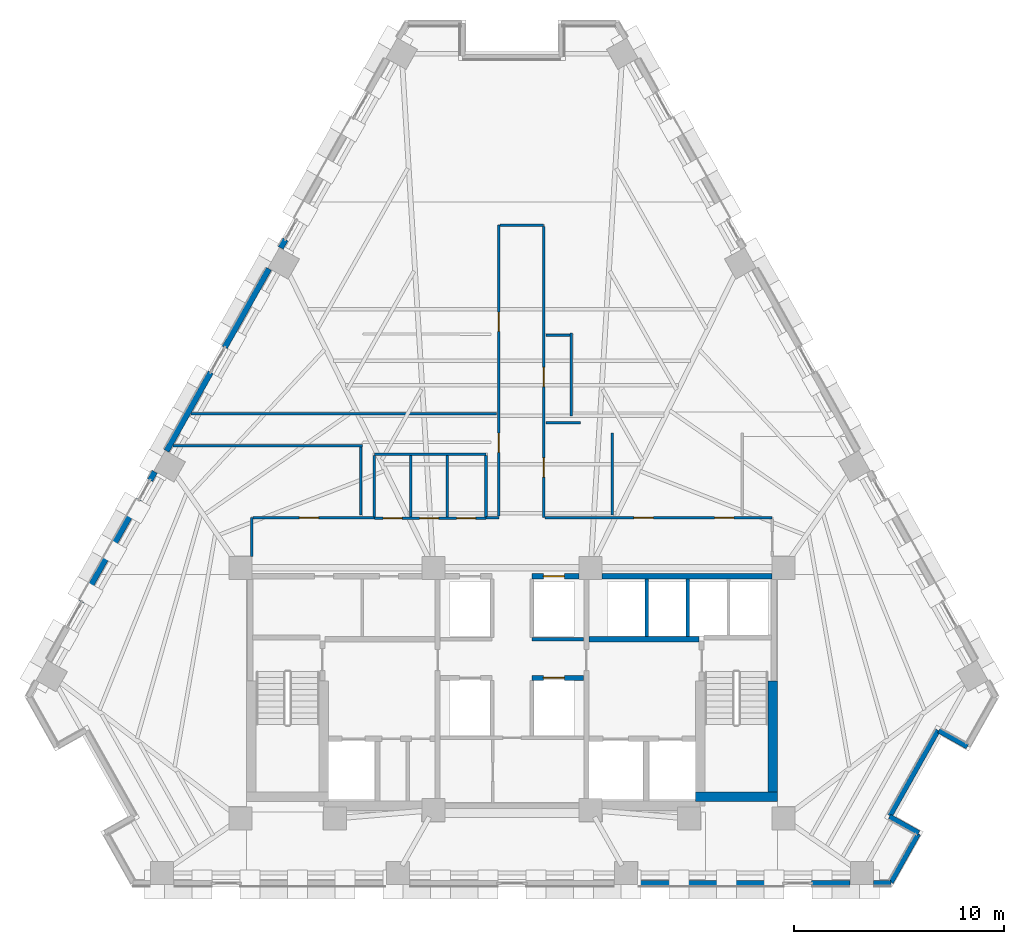
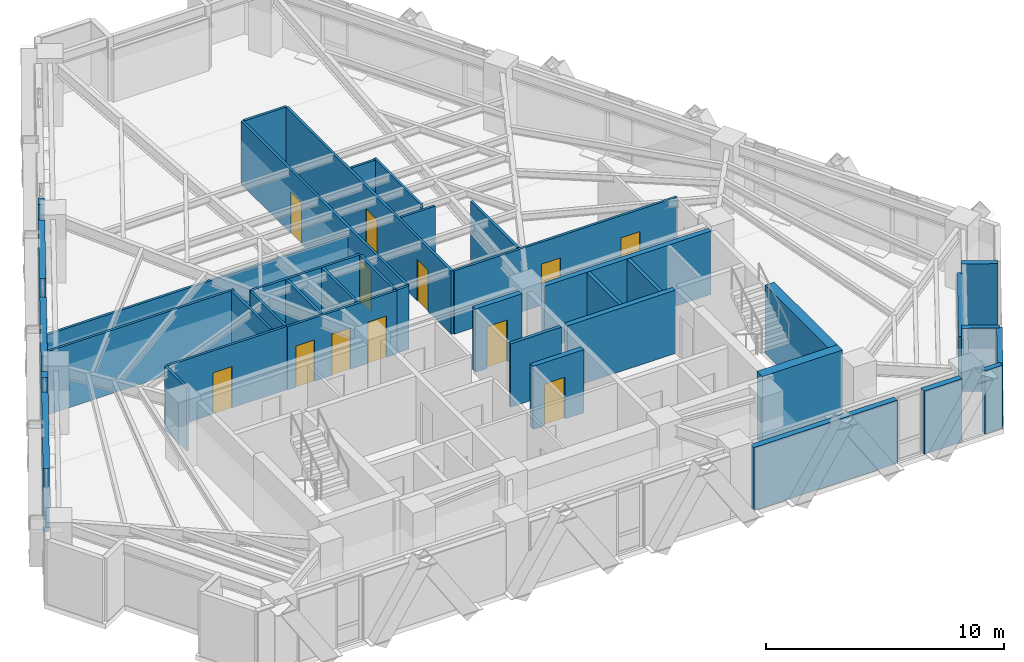
# One storey, part 8 of 13: 41 walls, 12 doors, 12 openings.
"""IFC4 building model written with IfcOpenShell, lengths in metres."""

import ifcopenshell
import ifcopenshell.guid

model = None  # the IFC model being written
_history = None  # IfcOwnerHistory: only IFC2X3 demands one
_inside = {}  # id of a spatial element -> (the spatial element, [elements in it])
_under = {}  # id of a project, library or spatial element -> (it, [spatial elements below it])
_declared = {}  # id of a project -> (the project, [libraries it declares])
_typed = {}  # id of a type object -> (the type object, [elements of that type])
_made_of = {}  # id of a material, layer set ... -> (it, [elements and type objects made of it])


def new_model(schema):
    """Start an empty IFC model of exactly this schema.

    Asked for "IFC4X3", IfcOpenShell would pick the latest addendum, in which some entities
    have other attributes; the version numbers below select the first issue.
    IFC2X3 requires an IfcOwnerHistory on every rooted entity: one is made here for all.
    """
    global model, _history
    if schema == "IFC4X3":
        model = ifcopenshell.file(schema_version=(4, 3, 0, 0))
    else:
        model = ifcopenshell.file(schema=schema)
    _inside.clear()
    _under.clear()
    _declared.clear()
    _typed.clear()
    _made_of.clear()
    _history = None
    if model.schema == "IFC2X3":
        org = make("IfcOrganization", Name="unknown")
        user = make(
            "IfcPersonAndOrganization",
            ThePerson=make("IfcPerson", FamilyName="unknown"),
            TheOrganization=org,
        )
        app = make(
            "IfcApplication",
            ApplicationDeveloper=org,
            Version="unknown",
            ApplicationFullName="unknown",
            ApplicationIdentifier="unknown",
        )
        _history = make(
            "IfcOwnerHistory",
            OwningUser=user,
            OwningApplication=app,
            ChangeAction="ADDED",
            CreationDate=0,
        )
    return model


def make(cls, **values):
    """One entity of the class cls with the attributes given. An attribute that is None is left unset."""
    return model.create_entity(
        cls, **{name: value for name, value in values.items() if value is not None}
    )


def rooted(cls, **values):
    """An entity with a GlobalId (a new one), such as an element, a storey or a relation."""
    return make(cls, GlobalId=ifcopenshell.guid.new(), OwnerHistory=_history, **values)


def si_unit(unit_type, name, prefix=None):
    """IfcSIUnit, for example si_unit("LENGTHUNIT", "METRE", prefix="MILLI")."""
    return make("IfcSIUnit", UnitType=unit_type, Prefix=prefix, Name=name)


def assignment(units):
    """IfcUnitAssignment: the units of a project."""
    return None if units is None else make("IfcUnitAssignment", Units=units)


def point(xyz):
    """IfcCartesianPoint."""
    return None if xyz is None else make("IfcCartesianPoint", Coordinates=xyz)


def direction(xyz):
    """IfcDirection."""
    return None if xyz is None else make("IfcDirection", DirectionRatios=xyz)


def frame(location, z_axis=None, x_axis=None):
    """IfcAxis2Placement3D, a coordinate frame: its origin and axes. An axis left out is left unset."""
    return make(
        "IfcAxis2Placement3D",
        Location=point(location),
        Axis=direction(z_axis),
        RefDirection=direction(x_axis),
    )


def frame_2d(location, x_axis=None):
    """IfcAxis2Placement2D, a coordinate frame in the plane: its origin and x axis."""
    return make(
        "IfcAxis2Placement2D", Location=point(location), RefDirection=direction(x_axis)
    )


def origin():
    """The frame at (0, 0, 0) with its axes left unset."""
    return frame((0.0, 0.0, 0.0))


def place(relative_to, where):
    """IfcLocalPlacement: puts the frame where relative to a parent placement (None: the world)."""
    return make(
        "IfcLocalPlacement", PlacementRelTo=relative_to, RelativePlacement=where
    )


def context(
    kind, dimensions, precision=None, world=None, true_north=None, identifier=None
):
    """IfcGeometricRepresentationContext, for example the 3D "Model" context."""
    return make(
        "IfcGeometricRepresentationContext",
        ContextIdentifier=identifier,
        ContextType=kind,
        CoordinateSpaceDimension=dimensions,
        Precision=precision,
        WorldCoordinateSystem=world,
        TrueNorth=true_north,
    )


def subcontext(parent, identifier, kind, view, scale=None):
    """IfcGeometricRepresentationSubContext, for example "Body" below "Model"."""
    return make(
        "IfcGeometricRepresentationSubContext",
        ContextIdentifier=identifier,
        ContextType=kind,
        ParentContext=parent,
        TargetScale=scale,
        TargetView=view,
    )


def project(units=None, contexts=None):
    """IfcProject with its units and contexts."""
    return rooted(
        "IfcProject",
        Name="project",
        RepresentationContexts=contexts,
        UnitsInContext=assignment(units),
    )


def spatial(cls, under=None, at=None, **own):
    """A site, building, storey or space (cls), placed at a placement, below another one or the project."""
    s = rooted(cls, ObjectPlacement=at, **own)
    if under is not None:
        _under.setdefault(under.id(), (under, []))[1].append(s)
    return s


def profile(cls, at=None, kind="AREA", **sizes):
    """A parametric profile (cls). Its sizes go by their IFC names, for example OverallWidth=200.0."""
    return make(cls, ProfileType=kind, Position=at, **sizes)


def rectangle(**sizes):
    """IfcRectangleProfileDef."""
    return profile("IfcRectangleProfileDef", **sizes)


def extrude(swept, where, along, depth):
    """IfcExtrudedAreaSolid: the profile swept, set in the frame where, extruded along a direction by depth."""
    return make(
        "IfcExtrudedAreaSolid",
        SweptArea=swept,
        Position=where,
        ExtrudedDirection=direction(along),
        Depth=depth,
    )


def shape(context_of_items, identifier, shape_type, items):
    """IfcShapeRepresentation: the items that make up one representation, for example the "Body"."""
    return make(
        "IfcShapeRepresentation",
        ContextOfItems=context_of_items,
        RepresentationIdentifier=identifier,
        RepresentationType=shape_type,
        Items=items,
    )


def material(Name=None, Category=None):
    """IfcMaterial."""
    return make("IfcMaterial", Name=Name, Category=Category)


def layer(
    of_material, thickness, ventilated=None, Name=None, Category=None, Priority=None
):
    """IfcMaterialLayer: one layer of a wall or slab, of a material (None: an air gap)."""
    return make(
        "IfcMaterialLayer",
        Material=of_material,
        LayerThickness=thickness,
        IsVentilated=ventilated,
        Name=Name,
        Category=Category,
        Priority=Priority,
    )


def layer_set(layers, Name=None):
    """IfcMaterialLayerSet."""
    return make("IfcMaterialLayerSet", MaterialLayers=layers, LayerSetName=Name)


def made_of(thing, what):
    """Note that an element or type object is made of a material, layer set ...; save() writes the relation."""
    if what is not None:
        _made_of.setdefault(what.id(), (what, []))[1].append(thing)
    return thing


def type_object(cls, material=None, **own):
    """A type object (cls), such as IfcWallType, which elements share."""
    return made_of(rooted(cls, **own), material)


def element(
    cls,
    number,
    at=None,
    inside=None,
    cuts=None,
    type_object=None,
    material=None,
    context=None,
    identifier="Body",
    shape_type=None,
    held_by="IfcProductDefinitionShape",
    body=None,
    shapes=None,
    **own,
):
    """One element of the class cls, such as IfcWall. Its Tag is "e" and its number.

    at: its placement. inside: the storey or other place that contains it. cuts: it is an
    opening in that element (IfcRelVoidsElement). A single representation is given by context,
    identifier, shape_type and body (its items); several are given by shapes. held_by: the class
    of the entity that holds the representations. save() writes the other relations.
    """
    e = rooted(cls, Tag="e%d" % number, ObjectPlacement=at, **own)
    if body is not None:
        shapes = [shape(context, identifier, shape_type, body)]
    if shapes is not None:
        e.Representation = make(held_by, Representations=shapes)
    if inside is not None:
        _inside.setdefault(inside.id(), (inside, []))[1].append(e)
    if cuts is not None:
        rooted(
            "IfcRelVoidsElement", RelatingBuildingElement=cuts, RelatedOpeningElement=e
        )
    if type_object is not None:
        _typed.setdefault(type_object.id(), (type_object, []))[1].append(e)
    return made_of(e, material)


def fill(opening, filler):
    """IfcRelFillsElement: the door or window that sits in an opening."""
    return rooted(
        "IfcRelFillsElement",
        RelatingOpeningElement=opening,
        RelatedBuildingElement=filler,
    )


def aggregate(whole, parts):
    """IfcRelAggregates: a whole, such as a stair, and the parts it consists of."""
    return rooted("IfcRelAggregates", RelatingObject=whole, RelatedObjects=parts)


def save(model, path):
    """Write the relations noted so far, then the file.

    IfcRelAggregates (storeys below a building ...), IfcRelContainedInSpatialStructure (elements
    in a storey), IfcRelDefinesByType, IfcRelAssociatesMaterial and IfcRelDeclares: one each for
    every whole, place, type object, material and project.
    """
    for whole, parts in _under.values():
        aggregate(whole, parts)
    for where, things in _inside.values():
        rooted(
            "IfcRelContainedInSpatialStructure",
            RelatedElements=things,
            RelatingStructure=where,
        )
    for kind, things in _typed.values():
        rooted("IfcRelDefinesByType", RelatedObjects=things, RelatingType=kind)
    for what, things in _made_of.values():
        rooted("IfcRelAssociatesMaterial", RelatedObjects=things, RelatingMaterial=what)
    for by, libraries in _declared.values():
        rooted("IfcRelDeclares", RelatingContext=by, RelatedDefinitions=libraries)
    model.write(path)


model = new_model("IFC4")

# Units and contexts
model_context = context("Model", 3, precision=1e-05, world=origin(), true_north=direction((0.0, 1.0)))
body_context = subcontext(model_context, "Body", "Model", "MODEL_VIEW")
ifc_project = project(units=[si_unit("LENGTHUNIT", "METRE"), si_unit("AREAUNIT", "SQUARE_METRE"), si_unit("VOLUMEUNIT", "CUBIC_METRE"), si_unit("PLANEANGLEUNIT", "RADIAN"), si_unit("MASSUNIT", "GRAM", prefix="KILO")], contexts=[model_context])

# Site, building, storey
site_placement = place(None, origin())
site = spatial("IfcSite", under=ifc_project, at=site_placement, CompositionType="ELEMENT")
building_placement = place(site_placement, origin())
building = spatial("IfcBuilding", under=site, at=building_placement, Name="Quenlor Broadcast Tower", CompositionType="ELEMENT")
storey_placement = place(building_placement, frame((0.0, 0.0, 105.5)))
storey = spatial("IfcBuildingStorey", under=building, at=storey_placement, Name="L28", CompositionType="ELEMENT", Elevation=105.5)

# Walls
ifc_material_1 = material(Name="Concrete C50/60", Category="concrete")
ifc_layer_1 = layer(ifc_material_1, 0.449951171875)
ifc_layer_set_1 = layer_set([ifc_layer_1], Name="Core Concrete C50/60 Shear Wall 450")
wall_type_1 = type_object("IfcWallType", Name="Core Concrete C50/60 Shear Wall 450", PredefinedType="SHEAR", material=ifc_layer_set_1)
wall_1_placement = place(storey_placement, frame((8.75, -15.72509765625, 0.0), z_axis=(0.0, 0.0, 1.0), x_axis=(1.0, 0.0, 0.0)))
element("IfcWall", 1, at=wall_1_placement, inside=storey, type_object=wall_type_1, Name="L28 Core Shear Wall WS-E2", PredefinedType="SHEAR", context=body_context, shape_type="SweptSolid", body=[
    extrude(rectangle(XDim=3.89990234375, YDim=0.449951171875, at=frame_2d((1.949951171875, 0.0))), origin(), (0.0, 0.0, 1.0), 3.5),
])
wall_2_placement = place(storey_placement, frame((12.425048828125, -15.72509765625, 0.0), z_axis=(0.0, 0.0, 1.0), x_axis=(0.0, 1.0, 0.0)))
element("IfcWall", 2, at=wall_2_placement, inside=storey, type_object=wall_type_1, Name="L28 Core Shear Wall WF-E", PredefinedType="SHEAR", context=body_context, shape_type="SweptSolid", body=[
    extrude(rectangle(XDim=5.525146484375, YDim=0.449951171875, at=frame_2d((2.7626953125, 0.0))), origin(), (0.0, 0.0, 1.0), 3.5),
])
ifc_material_2 = material(Name="Concrete C40/50", Category="concrete")
ifc_layer_2 = layer(ifc_material_2, 0.25)
ifc_layer_set_2 = layer_set([ifc_layer_2], Name="Fire Rated Concrete C40/50 Core Wall 250")
wall_type_2 = type_object("IfcWallType", Name="Fire Rated Concrete C40/50 Core Wall 250", PredefinedType="PARTITIONING", material=ifc_layer_set_2)
wall_3_placement = place(storey_placement, frame((3.679931640625, -8.199951171875, 0.0), z_axis=(0.0, 0.0, 1.0), x_axis=(1.0, 0.0, 0.0)))
element("IfcWall", 3, at=wall_3_placement, inside=storey, type_object=wall_type_2, Name="L28 Interior Wall CW-FFE-N", PredefinedType="PARTITIONING", context=body_context, shape_type="SweptSolid", body=[
    extrude(rectangle(XDim=5.239990234375, YDim=0.25, at=frame_2d((2.6201171875, 0.0))), origin(), (0.0, 0.0, 1.0), 3.25),
])
wall_4_placement = place(storey_placement, frame((4.302001953125, -5.199951171875, 0.0), z_axis=(0.0, 0.0, 1.0), x_axis=(1.0, 0.0, 0.0)))
element("IfcWall", 4, at=wall_4_placement, inside=storey, type_object=wall_type_2, Name="L28 Interior Wall CW-N-E", PredefinedType="PARTITIONING", context=body_context, shape_type="SweptSolid", body=[
    extrude(rectangle(XDim=8.095947265625, YDim=0.25, at=frame_2d((4.0478515625, 0.0))), origin(), (0.0, 0.0, 1.0), 3.25),
])

# Wall, opening, door
wall_5_placement = place(storey_placement, frame((0.949951171875, -5.199951171875, 0.0), z_axis=(0.0, 0.0, 1.0), x_axis=(1.0, 0.0, 0.0)))
wall_5 = element("IfcWall", 5, at=wall_5_placement, inside=storey, type_object=wall_type_2, Name="L28 Interior Wall CW-N-M2", PredefinedType="PARTITIONING", context=body_context, shape_type="SweptSolid", body=[
    extrude(rectangle(XDim=2.248046875, YDim=0.25, at=frame_2d((1.1240234375, 0.0))), origin(), (0.0, 0.0, 1.0), 3.25),
])
opening_1_placement = place(wall_5_placement, frame((0.550048828125, 0.0, 0.0)))
opening_1 = element("IfcOpeningElement", 6, at=opening_1_placement, cuts=wall_5, Name="Opening LD-PL-M2", PredefinedType="OPENING", context=body_context, shape_type="SweptSolid", body=[
    extrude(rectangle(XDim=1.0, YDim=2.14990234375, at=frame_2d((0.5, 1.074951171875))), frame((0.0, 0.135009765625, 0.0), z_axis=(0.0, -1.0, 0.0), x_axis=(1.0, 0.0, 0.0)), (0.0, 0.0, 1.0), 0.27001953125),
])
ifc_material_3 = material(Name="Brushed Stainless Steel", Category="steel")
door_type_1 = type_object("IfcDoorType", Name="Passenger Lift Sliding Landing Door 1000x2150", OperationType="NOTDEFINED", PredefinedType="DOOR", material=ifc_material_3)
door_1_placement = place(opening_1_placement, origin())
door_1 = element("IfcDoor", 7, at=door_1_placement, inside=storey, type_object=door_type_1, Name="L28 Door LD-PL-M2", OperationType="SLIDING_TO_RIGHT", OverallHeight=2.14990234375, OverallWidth=1.0, PredefinedType="DOOR", context=body_context, shape_type="SweptSolid", body=[
    extrude(rectangle(XDim=1.0, YDim=2.14990234375, at=frame_2d((0.5, 1.074951171875))), frame((0.0, 0.02490234375, 0.0), z_axis=(0.0, -1.0, 0.0), x_axis=(1.0, 0.0, 0.0)), (0.0, 0.0, 1.0), 0.050048828125),
])
fill(opening_1, door_1)

wall_6_placement = place(storey_placement, frame((0.949951171875, -10.050048828125, 0.0), z_axis=(0.0, 0.0, 1.0), x_axis=(1.0, 0.0, 0.0)))
wall_6 = element("IfcWall", 8, at=wall_6_placement, inside=storey, type_object=wall_type_2, Name="L28 Interior Wall CW-MS-N2", PredefinedType="PARTITIONING", context=body_context, shape_type="SweptSolid", body=[
    extrude(rectangle(XDim=2.469970703125, YDim=0.25, at=frame_2d((1.23486328125, 0.0))), origin(), (0.0, 0.0, 1.0), 3.25),
])
opening_2_placement = place(wall_6_placement, frame((0.550048828125, 0.0, 0.0)))
opening_2 = element("IfcOpeningElement", 9, at=opening_2_placement, cuts=wall_6, Name="Opening LD-PL-M4", PredefinedType="OPENING", context=body_context, shape_type="SweptSolid", body=[
    extrude(rectangle(XDim=1.0, YDim=2.14990234375, at=frame_2d((0.5, 1.074951171875))), frame((0.0, 0.135009765625, 0.0), z_axis=(0.0, -1.0, 0.0), x_axis=(1.0, 0.0, 0.0)), (0.0, 0.0, 1.0), 0.27001953125),
])
door_2_placement = place(opening_2_placement, origin())
door_2 = element("IfcDoor", 10, at=door_2_placement, inside=storey, type_object=door_type_1, Name="L28 Door LD-PL-M4", OperationType="SLIDING_TO_RIGHT", OverallHeight=2.14990234375, OverallWidth=1.0, PredefinedType="DOOR", context=body_context, shape_type="SweptSolid", body=[
    extrude(rectangle(XDim=1.0, YDim=2.14990234375, at=frame_2d((0.5, 1.074951171875))), frame((0.0, 0.02490234375, 0.0), z_axis=(0.0, -1.0, 0.0), x_axis=(1.0, 0.0, 0.0)), (0.0, 0.0, 1.0), 0.050048828125),
])
fill(opening_2, door_2)

# Walls
ifc_material_4 = material(Name="Gypsum Fireboard Partition", Category="other")
ifc_layer_3 = layer(ifc_material_4, 0.159912109375)
ifc_layer_set_3 = layer_set([ifc_layer_3], Name="Fire Rated Shaft and Corridor Partition 160")
wall_type_3 = type_object("IfcWallType", Name="Fire Rated Shaft and Corridor Partition 160", PredefinedType="PARTITIONING", material=ifc_layer_set_3)
for number, where, z_axis, x_axis, name in (
    (11, (6.425048828125, -8.072998046875, 0.0), (0.0, 0.0, 1.0), (0.0, 1.0, 0.0), "L28 Interior Wall CW-PLH-D1"),
    (12, (8.375, -8.072998046875, 0.0), (0.0, 0.0, 1.0), (0.0, 1.0, 0.0), "L28 Interior Wall CW-PLH-D2"),
):
    element("IfcWall", number, at=place(storey_placement, frame(where, z_axis=z_axis, x_axis=x_axis)), inside=storey, type_object=wall_type_3, Name=name, PredefinedType="PARTITIONING", context=body_context, shape_type="SweptSolid", body=[
        extrude(rectangle(XDim=2.73291015625, YDim=0.159912109375, at=frame_2d((1.366455078125, 0.0))), origin(), (0.0, 0.0, 1.0), 3.25),
    ])
wall_7_placement = place(storey_placement, frame((0.949951171875, -8.199951171875, 0.0), z_axis=(0.0, 0.0, 1.0), x_axis=(1.0, 0.0, 0.0)))
element("IfcWall", 13, at=wall_7_placement, inside=storey, type_object=wall_type_3, Name="L28 Interior Wall CW-M-BACK2", PredefinedType="PARTITIONING", context=body_context, shape_type="SweptSolid", body=[
    extrude(rectangle(XDim=2.469970703125, YDim=0.159912109375, at=frame_2d((1.23486328125, 0.0))), origin(), (0.0, 0.0, 1.0), 3.25),
])

# Wall, openings, doors
ifc_material_5 = material(Name="Gypsum Plasterboard Partition", Category="other")
ifc_layer_4 = layer(ifc_material_5, 0.1201171875)
ifc_layer_set_4 = layer_set([ifc_layer_4], Name="Standard Office Partition 120")
wall_type_4 = type_object("IfcWallType", Name="Standard Office Partition 120", PredefinedType="PARTITIONING", material=ifc_layer_set_4)
wall_8_placement = place(storey_placement, frame((-6.56005859375, -2.43994140625, 0.0), z_axis=(0.0, 0.0, 1.0), x_axis=(1.0, 0.0, 0.0)))
wall_8 = element("IfcWall", 14, at=wall_8_placement, inside=storey, type_object=wall_type_4, Name="L28 Interior Wall PW-WC-S", PredefinedType="PARTITIONING", context=body_context, shape_type="SweptSolid", body=[
    extrude(rectangle(XDim=5.320068359375, YDim=0.1201171875, at=frame_2d((2.66015625, 0.0))), origin(), (0.0, 0.0, 1.0), 3.25),
])
opening_3_placement = place(wall_8_placement, frame((0.419921875, 0.0, 0.0)))
opening_3 = element("IfcOpeningElement", 15, at=opening_3_placement, cuts=wall_8, Name="Opening ID-3", PredefinedType="OPENING", context=body_context, shape_type="SweptSolid", body=[
    extrude(rectangle(XDim=0.89990234375, YDim=2.1201171875, at=frame_2d((0.449951171875, 1.06005859375))), frame((0.0, 0.070068359375, 0.0), z_axis=(0.0, -1.0, 0.0), x_axis=(1.0, 0.0, 0.0)), (0.0, 0.0, 1.0), 0.14013671875),
])
opening_4_placement = place(wall_8_placement, frame((2.159912109375, 0.0, 0.0)))
opening_4 = element("IfcOpeningElement", 16, at=opening_4_placement, cuts=wall_8, Name="Opening ID-3", PredefinedType="OPENING", context=body_context, shape_type="SweptSolid", body=[
    extrude(rectangle(XDim=0.89990234375, YDim=2.1201171875, at=frame_2d((0.449951171875, 1.06005859375))), frame((0.0, 0.070068359375, 0.0), z_axis=(0.0, -1.0, 0.0), x_axis=(1.0, 0.0, 0.0)), (0.0, 0.0, 1.0), 0.14013671875),
])
opening_5_placement = place(wall_8_placement, frame((3.919921875, 0.0, 0.0)))
opening_5 = element("IfcOpeningElement", 17, at=opening_5_placement, cuts=wall_8, Name="Opening ID-3", PredefinedType="OPENING", context=body_context, shape_type="SweptSolid", body=[
    extrude(rectangle(XDim=0.89990234375, YDim=2.1201171875, at=frame_2d((0.449951171875, 1.06005859375))), frame((0.0, 0.070068359375, 0.0), z_axis=(0.0, -1.0, 0.0), x_axis=(1.0, 0.0, 0.0)), (0.0, 0.0, 1.0), 0.14013671875),
])
ifc_material_6 = material(Name="Moisture Resistant Timber Oak", Category="wood")
door_type_2 = type_object("IfcDoorType", Name="Washroom Privacy Door 900x2120", OperationType="NOTDEFINED", PredefinedType="DOOR", material=ifc_material_6)
door_3_placement = place(opening_3_placement, origin())
door_3 = element("IfcDoor", 18, at=door_3_placement, inside=storey, type_object=door_type_2, Name="L28 Door DR-FWC", OperationType="SINGLE_SWING_LEFT", OverallHeight=2.1201171875, OverallWidth=0.89990234375, PredefinedType="DOOR", context=body_context, shape_type="SweptSolid", body=[
    extrude(rectangle(XDim=0.89990234375, YDim=2.1201171875, at=frame_2d((0.449951171875, 1.06005859375))), frame((0.0, 0.02490234375, 0.0), z_axis=(0.0, -1.0, 0.0), x_axis=(1.0, 0.0, 0.0)), (0.0, 0.0, 1.0), 0.050048828125),
])
fill(opening_3, door_3)
door_4_placement = place(opening_4_placement, origin())
door_4 = element("IfcDoor", 19, at=door_4_placement, inside=storey, type_object=door_type_2, Name="L28 Door DR-MWC", OperationType="SINGLE_SWING_RIGHT", OverallHeight=2.1201171875, OverallWidth=0.89990234375, PredefinedType="DOOR", context=body_context, shape_type="SweptSolid", body=[
    extrude(rectangle(XDim=0.89990234375, YDim=2.1201171875, at=frame_2d((0.449951171875, 1.06005859375))), frame((0.0, 0.02490234375, 0.0), z_axis=(0.0, -1.0, 0.0), x_axis=(1.0, 0.0, 0.0)), (0.0, 0.0, 1.0), 0.050048828125),
])
fill(opening_4, door_4)
door_5_placement = place(opening_5_placement, origin())
door_5 = element("IfcDoor", 20, at=door_5_placement, inside=storey, type_object=door_type_2, Name="L28 Door DR-AWC", OperationType="SINGLE_SWING_RIGHT", OverallHeight=2.1201171875, OverallWidth=0.89990234375, PredefinedType="DOOR", context=body_context, shape_type="SweptSolid", body=[
    extrude(rectangle(XDim=0.89990234375, YDim=2.1201171875, at=frame_2d((0.449951171875, 1.06005859375))), frame((0.0, 0.02490234375, 0.0), z_axis=(0.0, -1.0, 0.0), x_axis=(1.0, 0.0, 0.0)), (0.0, 0.0, 1.0), 0.050048828125),
])
fill(opening_5, door_5)

# Walls
wall_9_placement = place(storey_placement, frame((-6.56005859375, 0.610107421875, 0.0), z_axis=(0.0, 0.0, 1.0), x_axis=(1.0, 0.0, 0.0)))
element("IfcWall", 21, at=wall_9_placement, inside=storey, type_object=wall_type_4, Name="L28 Interior Wall PW-WC-N", PredefinedType="PARTITIONING", context=body_context, shape_type="SweptSolid", body=[
    extrude(rectangle(XDim=5.320068359375, YDim=0.1201171875, at=frame_2d((2.66015625, 0.0))), origin(), (0.0, 0.0, 1.0), 3.25),
])
for number, where, z_axis, x_axis, name in (
    (22, (-6.56005859375, -2.3779296875, 0.0), (0.0, 0.0, 1.0), (0.0, 1.0, 0.0), "L28 Interior Wall PW-WC-W"),
    (23, (-4.820068359375, -2.3779296875, 0.0), (0.0, 0.0, 1.0), (0.0, 1.0, 0.0), "L28 Interior Wall PW-WC-M1"),
    (24, (-3.080078125, -2.3779296875, 0.0), (0.0, 0.0, 1.0), (0.0, 1.0, 0.0), "L28 Interior Wall PW-WC-M2"),
    (25, (-1.239990234375, -2.3779296875, 0.0), (0.0, 0.0, 1.0), (0.0, 1.0, 0.0), "L28 Interior Wall PW-WC-E"),
):
    element("IfcWall", number, at=place(storey_placement, frame(where, z_axis=z_axis, x_axis=x_axis)), inside=storey, type_object=wall_type_4, Name=name, PredefinedType="PARTITIONING", context=body_context, shape_type="SweptSolid", body=[
        extrude(rectangle(XDim=2.926025390625, YDim=0.1201171875, at=frame_2d((1.462890625, 0.0))), origin(), (0.0, 0.0, 1.0), 3.25),
    ])
wall_10_placement = place(storey_placement, frame((-12.409912109375, -4.248046875, 0.0), z_axis=(0.0, 0.0, 1.0), x_axis=(0.0, 1.0, 0.0)))
element("IfcWall", 26, at=wall_10_placement, inside=storey, type_object=wall_type_4, Name="L28 Interior Wall PW-CR-01", PredefinedType="PARTITIONING", context=body_context, shape_type="SweptSolid", body=[
    extrude(rectangle(XDim=1.84814453125, YDim=0.1201171875, at=frame_2d((0.924072265625, 0.0))), origin(), (0.0, 0.0, 1.0), 3.25),
])

# Wall, opening, door
wall_11_placement = place(storey_placement, frame((-12.347900390625, -2.39990234375, 0.0), z_axis=(0.0, 0.0, 1.0), x_axis=(1.0, 0.0, 0.0)))
wall_11 = element("IfcWall", 27, at=wall_11_placement, inside=storey, type_object=wall_type_4, Name="L28 Interior Wall PW-CR-02", PredefinedType="PARTITIONING", context=body_context, shape_type="SweptSolid", body=[
    extrude(rectangle(XDim=5.785888671875, YDim=0.1201171875, at=frame_2d((2.89306640625, 0.0))), origin(), (0.0, 0.0, 1.0), 3.25),
])
opening_6_placement = place(wall_11_placement, frame((2.201904296875, 0.0, 0.0)))
opening_6 = element("IfcOpeningElement", 28, at=opening_6_placement, cuts=wall_11, Name="Opening ID-1", PredefinedType="OPENING", context=body_context, shape_type="SweptSolid", body=[
    extrude(rectangle(XDim=0.919921875, YDim=2.1201171875, at=frame_2d((0.4599609375, 1.06005859375))), frame((0.0, 0.070068359375, 0.0), z_axis=(0.0, -1.0, 0.0), x_axis=(1.0, 0.0, 0.0)), (0.0, 0.0, 1.0), 0.14013671875),
])
ifc_material_7 = material(Name="Solid Core Timber Oak", Category="wood")
door_type_3 = type_object("IfcDoorType", Name="Single Leaf Timber Office Door 920x2120", OperationType="NOTDEFINED", PredefinedType="DOOR", material=ifc_material_7)
door_6_placement = place(opening_6_placement, origin())
door_6 = element("IfcDoor", 29, at=door_6_placement, inside=storey, type_object=door_type_3, Name="L28 Door DR-RM08", OperationType="SINGLE_SWING_RIGHT", OverallHeight=2.1201171875, OverallWidth=0.919921875, PredefinedType="DOOR", context=body_context, shape_type="SweptSolid", body=[
    extrude(rectangle(XDim=0.919921875, YDim=2.1201171875, at=frame_2d((0.4599609375, 1.06005859375))), frame((0.0, 0.02490234375, 0.0), z_axis=(0.0, -1.0, 0.0), x_axis=(1.0, 0.0, 0.0)), (0.0, 0.0, 1.0), 0.050048828125),
])
fill(opening_6, door_6)

# Wall
wall_12_placement = place(storey_placement, frame((-1.238037109375, -2.39990234375, 0.0), z_axis=(0.0, 0.0, 1.0), x_axis=(1.0, 0.0, 0.0)))
element("IfcWall", 30, at=wall_12_placement, inside=storey, type_object=wall_type_4, Name="L28 Interior Wall PW-CR-02S2", PredefinedType="PARTITIONING", context=body_context, shape_type="SweptSolid", body=[
    extrude(rectangle(XDim=0.608154296875, YDim=0.1201171875, at=frame_2d((0.30419921875, 0.0))), origin(), (0.0, 0.0, 1.0), 3.25),
])

# Wall, openings, doors
wall_13_placement = place(storey_placement, frame((-0.6298828125, -2.337890625, 0.0), z_axis=(0.0, 0.0, 1.0), x_axis=(0.0, 1.0, 0.0)))
wall_13 = element("IfcWall", 31, at=wall_13_placement, inside=storey, type_object=wall_type_4, Name="L28 Interior Wall PW-CR-03", PredefinedType="PARTITIONING", context=body_context, shape_type="SweptSolid", body=[
    extrude(rectangle(XDim=13.887939453125, YDim=0.1201171875, at=frame_2d((6.94384765625, 0.0))), origin(), (0.0, 0.0, 1.0), 3.25),
])
opening_7_placement = place(wall_13_placement, frame((8.820068359375, 0.0, 0.0)))
opening_7 = element("IfcOpeningElement", 32, at=opening_7_placement, cuts=wall_13, Name="Opening ID-1", PredefinedType="OPENING", context=body_context, shape_type="SweptSolid", body=[
    extrude(rectangle(XDim=0.919921875, YDim=2.1201171875, at=frame_2d((0.4599609375, 1.06005859375))), frame((0.0, 0.070068359375, 0.0), z_axis=(0.0, -1.0, 0.0), x_axis=(1.0, 0.0, 0.0)), (0.0, 0.0, 1.0), 0.14013671875),
])
opening_8_placement = place(wall_13_placement, frame((3.04296875, 0.0, 0.0)))
opening_8 = element("IfcOpeningElement", 33, at=opening_8_placement, cuts=wall_13, Name="Opening ID-1", PredefinedType="OPENING", context=body_context, shape_type="SweptSolid", body=[
    extrude(rectangle(XDim=0.919921875, YDim=2.1201171875, at=frame_2d((0.4599609375, 1.06005859375))), frame((0.0, 0.070068359375, 0.0), z_axis=(0.0, -1.0, 0.0), x_axis=(1.0, 0.0, 0.0)), (0.0, 0.0, 1.0), 0.14013671875),
])
door_7_placement = place(opening_7_placement, origin())
door_7 = element("IfcDoor", 34, at=door_7_placement, inside=storey, type_object=door_type_3, Name="L28 Door DR-RM01", OperationType="SINGLE_SWING_LEFT", OverallHeight=2.1201171875, OverallWidth=0.919921875, PredefinedType="DOOR", context=body_context, shape_type="SweptSolid", body=[
    extrude(rectangle(XDim=0.919921875, YDim=2.1201171875, at=frame_2d((0.4599609375, 1.06005859375))), frame((0.0, 0.02490234375, 0.0), z_axis=(0.0, -1.0, 0.0), x_axis=(1.0, 0.0, 0.0)), (0.0, 0.0, 1.0), 0.050048828125),
])
fill(opening_7, door_7)
door_8_placement = place(opening_8_placement, origin())
door_8 = element("IfcDoor", 35, at=door_8_placement, inside=storey, type_object=door_type_3, Name="L28 Door DR-RM03", OperationType="SINGLE_SWING_LEFT", OverallHeight=2.1201171875, OverallWidth=0.919921875, PredefinedType="DOOR", context=body_context, shape_type="SweptSolid", body=[
    extrude(rectangle(XDim=0.919921875, YDim=2.1201171875, at=frame_2d((0.4599609375, 1.06005859375))), frame((0.0, 0.02490234375, 0.0), z_axis=(0.0, -1.0, 0.0), x_axis=(1.0, 0.0, 0.0)), (0.0, 0.0, 1.0), 0.050048828125),
])
fill(opening_8, door_8)

# Wall
wall_14_placement = place(storey_placement, frame((-0.568115234375, 11.550048828125, 0.0), z_axis=(0.0, 0.0, 1.0), x_axis=(1.0, 0.0, 0.0)))
element("IfcWall", 36, at=wall_14_placement, inside=storey, type_object=wall_type_4, Name="L28 Interior Wall PW-CR-04", PredefinedType="PARTITIONING", context=body_context, shape_type="SweptSolid", body=[
    extrude(rectangle(XDim=2.078125, YDim=0.1201171875, at=frame_2d((1.0390625, 0.0))), origin(), (0.0, 0.0, 1.0), 3.25),
])

# Wall, openings, doors
wall_15_placement = place(storey_placement, frame((1.510009765625, 11.488037109375, 0.0), z_axis=(0.0, 0.0, 1.0), x_axis=(0.0, -1.0, 0.0)))
wall_15 = element("IfcWall", 37, at=wall_15_placement, inside=storey, type_object=wall_type_4, Name="L28 Interior Wall PW-CR-05", PredefinedType="PARTITIONING", context=body_context, shape_type="SweptSolid", body=[
    extrude(rectangle(XDim=13.887939453125, YDim=0.1201171875, at=frame_2d((6.94384765625, 0.0))), origin(), (0.0, 0.0, 1.0), 3.25),
])
opening_9_placement = place(wall_15_placement, frame((6.72607421875, 0.0, 0.0)))
opening_9 = element("IfcOpeningElement", 38, at=opening_9_placement, cuts=wall_15, Name="Opening ID-1", PredefinedType="OPENING", context=body_context, shape_type="SweptSolid", body=[
    extrude(rectangle(XDim=0.919921875, YDim=2.1201171875, at=frame_2d((0.4599609375, 1.06005859375))), frame((0.0, 0.070068359375, 0.0), z_axis=(0.0, -1.0, 0.0), x_axis=(1.0, 0.0, 0.0)), (0.0, 0.0, 1.0), 0.14013671875),
])
opening_10_placement = place(wall_15_placement, frame((11.041015625, 0.0, 0.0)))
opening_10 = element("IfcOpeningElement", 39, at=opening_10_placement, cuts=wall_15, Name="Opening ID-1", PredefinedType="OPENING", context=body_context, shape_type="SweptSolid", body=[
    extrude(rectangle(XDim=0.919921875, YDim=2.1201171875, at=frame_2d((0.4599609375, 1.06005859375))), frame((0.0, 0.070068359375, 0.0), z_axis=(0.0, -1.0, 0.0), x_axis=(1.0, 0.0, 0.0)), (0.0, 0.0, 1.0), 0.14013671875),
])
door_9_placement = place(opening_9_placement, origin())
door_9 = element("IfcDoor", 40, at=door_9_placement, inside=storey, type_object=door_type_3, Name="L28 Door DR-RM02", OperationType="SINGLE_SWING_RIGHT", OverallHeight=2.1201171875, OverallWidth=0.919921875, PredefinedType="DOOR", context=body_context, shape_type="SweptSolid", body=[
    extrude(rectangle(XDim=0.919921875, YDim=2.1201171875, at=frame_2d((0.4599609375, 1.06005859375))), frame((0.0, 0.02490234375, 0.0), z_axis=(0.0, -1.0, 0.0), x_axis=(1.0, 0.0, 0.0)), (0.0, 0.0, 1.0), 0.050048828125),
])
fill(opening_9, door_9)
door_10_placement = place(opening_10_placement, origin())
door_10 = element("IfcDoor", 41, at=door_10_placement, inside=storey, type_object=door_type_3, Name="L28 Door DR-RM04", OperationType="SINGLE_SWING_RIGHT", OverallHeight=2.1201171875, OverallWidth=0.919921875, PredefinedType="DOOR", context=body_context, shape_type="SweptSolid", body=[
    extrude(rectangle(XDim=0.919921875, YDim=2.1201171875, at=frame_2d((0.4599609375, 1.06005859375))), frame((0.0, 0.02490234375, 0.0), z_axis=(0.0, -1.0, 0.0), x_axis=(1.0, 0.0, 0.0)), (0.0, 0.0, 1.0), 0.050048828125),
])
fill(opening_10, door_10)

wall_16_placement = place(storey_placement, frame((1.572021484375, -2.39990234375, 0.0), z_axis=(0.0, 0.0, 1.0), x_axis=(1.0, 0.0, 0.0)))
wall_16 = element("IfcWall", 42, at=wall_16_placement, inside=storey, type_object=wall_type_4, Name="L28 Interior Wall PW-CR-06", PredefinedType="PARTITIONING", context=body_context, shape_type="SweptSolid", body=[
    extrude(rectangle(XDim=10.837890625, YDim=0.1201171875, at=frame_2d((5.4189453125, 0.0))), origin(), (0.0, 0.0, 1.0), 3.25),
])
opening_11_placement = place(wall_16_placement, frame((4.2451171875, 0.0, 0.0)))
opening_11 = element("IfcOpeningElement", 43, at=opening_11_placement, cuts=wall_16, Name="Opening ID-1", PredefinedType="OPENING", context=body_context, shape_type="SweptSolid", body=[
    extrude(rectangle(XDim=0.919921875, YDim=2.1201171875, at=frame_2d((0.4599609375, 1.06005859375))), frame((0.0, 0.070068359375, 0.0), z_axis=(0.0, -1.0, 0.0), x_axis=(1.0, 0.0, 0.0)), (0.0, 0.0, 1.0), 0.14013671875),
])
opening_12_placement = place(wall_16_placement, frame((8.090087890625, 0.0, 0.0)))
opening_12 = element("IfcOpeningElement", 44, at=opening_12_placement, cuts=wall_16, Name="Opening ID-1", PredefinedType="OPENING", context=body_context, shape_type="SweptSolid", body=[
    extrude(rectangle(XDim=0.919921875, YDim=2.1201171875, at=frame_2d((0.4599609375, 1.06005859375))), frame((0.0, 0.070068359375, 0.0), z_axis=(0.0, -1.0, 0.0), x_axis=(1.0, 0.0, 0.0)), (0.0, 0.0, 1.0), 0.14013671875),
])
door_11_placement = place(opening_11_placement, origin())
door_11 = element("IfcDoor", 45, at=door_11_placement, inside=storey, type_object=door_type_3, Name="L28 Door DR-RM05", OperationType="SINGLE_SWING_LEFT", OverallHeight=2.1201171875, OverallWidth=0.919921875, PredefinedType="DOOR", context=body_context, shape_type="SweptSolid", body=[
    extrude(rectangle(XDim=0.919921875, YDim=2.1201171875, at=frame_2d((0.4599609375, 1.06005859375))), frame((0.0, 0.02490234375, 0.0), z_axis=(0.0, -1.0, 0.0), x_axis=(1.0, 0.0, 0.0)), (0.0, 0.0, 1.0), 0.050048828125),
])
fill(opening_11, door_11)
door_12_placement = place(opening_12_placement, origin())
door_12 = element("IfcDoor", 46, at=door_12_placement, inside=storey, type_object=door_type_3, Name="L28 Door DR-RM06", OperationType="SINGLE_SWING_RIGHT", OverallHeight=2.1201171875, OverallWidth=0.919921875, PredefinedType="DOOR", context=body_context, shape_type="SweptSolid", body=[
    extrude(rectangle(XDim=0.919921875, YDim=2.1201171875, at=frame_2d((0.4599609375, 1.06005859375))), frame((0.0, 0.02490234375, 0.0), z_axis=(0.0, -1.0, 0.0), x_axis=(1.0, 0.0, 0.0)), (0.0, 0.0, 1.0), 0.050048828125),
])
fill(opening_12, door_12)

# Walls
wall_17_placement = place(storey_placement, frame((2.829833984375, 2.451904296875, 0.0), z_axis=(0.0, 0.0, 1.0), x_axis=(0.000989425031, 0.999999510519, 0.0)))
element("IfcWall", 47, at=wall_17_placement, inside=storey, type_object=wall_type_4, Name="L28 Interior Wall PW-DV-01", PredefinedType="PARTITIONING", context=body_context, shape_type="SweptSolid", body=[
    extrude(rectangle(XDim=3.947998046875, YDim=0.1201171875, at=frame_2d((1.97412109375, 0.0))), origin(), (0.0, 0.0, 1.0), 3.25),
])
wall_18_placement = place(storey_placement, frame((2.771484375, 6.300048828125, 0.0), z_axis=(0.0, 0.0, 1.0), x_axis=(-1.0, 0.0, 0.0)))
element("IfcWall", 48, at=wall_18_placement, inside=storey, type_object=wall_type_4, Name="L28 Interior Wall PW-DV-02", PredefinedType="PARTITIONING", context=body_context, shape_type="SweptSolid", body=[
    extrude(rectangle(XDim=1.1513671875, YDim=0.1201171875, at=frame_2d((0.57568359375, 0.0))), origin(), (0.0, 0.0, 1.0), 3.25),
])
wall_19_placement = place(storey_placement, frame((-0.739990234375, 2.552001953125, 0.0), z_axis=(0.0, 0.0, 1.0), x_axis=(-1.0, 0.0, 0.0)))
element("IfcWall", 49, at=wall_19_placement, inside=storey, type_object=wall_type_4, Name="L28 Interior Wall PW-DV-03", PredefinedType="PARTITIONING", context=body_context, shape_type="SweptSolid", body=[
    extrude(rectangle(XDim=14.578125, YDim=0.1201171875, at=frame_2d((7.2890625, 0.0))), origin(), (0.0, 0.0, 1.0), 2.891357421875),
])
wall_20_placement = place(storey_placement, frame((3.27001953125, 2.11474609375, 0.0), z_axis=(0.0, 0.0, 1.0), x_axis=(-1.0, 0.0, 0.0)))
element("IfcWall", 50, at=wall_20_placement, inside=storey, type_object=wall_type_4, Name="L28 Interior Wall PW-DV-04", PredefinedType="PARTITIONING", context=body_context, shape_type="SweptSolid", body=[
    extrude(rectangle(XDim=1.64990234375, YDim=0.1201171875, at=frame_2d((0.824951171875, 0.0))), origin(), (0.0, 0.0, 1.0), 3.25),
])
wall_21_placement = place(storey_placement, frame((-7.1201171875, 1.03369140625, 0.0), z_axis=(0.0, 0.0, 1.0), x_axis=(-0.999999918204, -0.000404465264, 0.0)))
element("IfcWall", 51, at=wall_21_placement, inside=storey, type_object=wall_type_4, Name="L28 Interior Wall PW-DV-05", PredefinedType="PARTITIONING", context=body_context, shape_type="SweptSolid", body=[
    extrude(rectangle(XDim=9.05419921875, YDim=0.1201171875, at=frame_2d((4.527099609375, 0.0))), origin(), (0.0, 0.0, 1.0), 3.25),
])
wall_22_placement = place(storey_placement, frame((-7.219970703125, -2.2900390625, 0.0), z_axis=(0.0, 0.0, 1.0), x_axis=(0.0, 1.0, 0.0)))
element("IfcWall", 52, at=wall_22_placement, inside=storey, type_object=wall_type_4, Name="L28 Interior Wall PW-DV-06", PredefinedType="PARTITIONING", context=body_context, shape_type="SweptSolid", body=[
    extrude(rectangle(XDim=3.26171875, YDim=0.1201171875, at=frame_2d((1.630859375, 0.0))), origin(), (0.0, 0.0, 1.0), 3.25),
])
wall_23_placement = place(storey_placement, frame((4.774658203125, 1.639892578125, 0.0), z_axis=(0.0, 0.0, 1.0), x_axis=(0.0, -1.0, 0.0)))
element("IfcWall", 53, at=wall_23_placement, inside=storey, type_object=wall_type_4, Name="L28 Interior Wall PW-DV-07", PredefinedType="PARTITIONING", context=body_context, shape_type="SweptSolid", body=[
    extrude(rectangle(XDim=3.929931640625, YDim=0.1201171875, at=frame_2d((1.96484375, 0.0))), origin(), (0.0, 0.0, 1.0), 3.25),
])
ifc_material_8 = material(Name="Precast concrete C40/50", Category="concrete")
ifc_layer_5 = layer(ifc_material_8, 0.239990234375)
ifc_layer_set_5 = layer_set([ifc_layer_5], Name="Terrace Threshold Precast Concrete C40/50 Wall 240")
wall_type_5 = type_object("IfcWallType", Name="Terrace Threshold Precast Concrete C40/50 Wall 240", PredefinedType="STANDARD", material=ifc_layer_set_5)
wall_24_placement = place(storey_placement, frame((18.083984375, -19.840087890625, 0.0), z_axis=(0.0, 0.0, 1.0), x_axis=(-1.0, 0.0, 0.0)))
element("IfcWall", 54, at=wall_24_placement, inside=storey, type_object=wall_type_5, Name="L28 Exterior Wall L28-SHD-SS0", PredefinedType="STANDARD", context=body_context, shape_type="SweptSolid", body=[
    extrude(rectangle(XDim=0.83642578125, YDim=0.239990234375, at=frame_2d((0.418212890625, 0.0))), origin(), (0.0, 0.0, 1.0), 3.25),
])
wall_25_placement = place(storey_placement, frame((19.39892578125, -17.4423828125, 0.0), z_axis=(0.0, 0.0, 1.0), x_axis=(-0.871575537125, 0.490261239633, 0.0)))
element("IfcWall", 55, at=wall_25_placement, inside=storey, type_object=wall_type_5, Name="L28 Exterior Wall L28-CNR-01", PredefinedType="STANDARD", context=body_context, shape_type="SweptSolid", body=[
    extrude(rectangle(XDim=1.60009765625, YDim=0.239990234375, at=frame_2d((0.800048828125, 0.0))), origin(), (0.0, 0.0, 1.0), 3.25),
])
wall_26_placement = place(storey_placement, frame((18.024169921875, -16.623046875, 0.0), z_axis=(0.0, 0.0, 1.0), x_axis=(0.490273623647, 0.871568571001, 0.0)))
element("IfcWall", 56, at=wall_26_placement, inside=storey, type_object=wall_type_5, Name="L28 Exterior Wall L28-CNR-02", PredefinedType="STANDARD", context=body_context, shape_type="SweptSolid", body=[
    extrude(rectangle(XDim=4.679931640625, YDim=0.239990234375, at=frame_2d((2.33984375, 0.0))), origin(), (0.0, 0.0, 1.0), 2.7216796875),
])
wall_27_placement = place(storey_placement, frame((20.353515625, -12.563720703125, 0.0), z_axis=(0.0, 0.0, 1.0), x_axis=(0.871546278971, -0.490313250496, 0.0)))
element("IfcWall", 57, at=wall_27_placement, inside=storey, type_object=wall_type_5, Name="L28 Exterior Wall L28-CNR-03", PredefinedType="STANDARD", context=body_context, shape_type="SweptSolid", body=[
    extrude(rectangle(XDim=1.56005859375, YDim=0.239990234375, at=frame_2d((0.780029296875, 0.0))), origin(), (0.0, 0.0, 1.0), 3.25),
])
wall_28_placement = place(storey_placement, frame((18.074951171875, -19.79638671875, 0.0), z_axis=(0.0, 0.0, 1.0), x_axis=(0.490248170584, 0.871582888335, 0.0)))
element("IfcWall", 58, at=wall_28_placement, inside=storey, type_object=wall_type_5, Name="L28 Exterior Wall L28-CNR-18", PredefinedType="STANDARD", context=body_context, shape_type="SweptSolid", body=[
    extrude(rectangle(XDim=2.660888671875, YDim=0.239990234375, at=frame_2d((1.33056640625, 0.0))), origin(), (0.0, 0.0, 1.0), 3.25),
])
ifc_material_9 = material(Name="Precast concrete C40/50", Category="concrete")
ifc_layer_6 = layer(ifc_material_9, 0.280029296875)
ifc_layer_set_6 = layer_set([ifc_layer_6], Name="Terracotta Precast Concrete C40/50 Facade Wall 280")
wall_type_6 = type_object("IfcWallType", Name="Terracotta Precast Concrete C40/50 Facade Wall 280", PredefinedType="STANDARD", material=ifc_layer_set_6)
wall_29_placement = place(storey_placement, frame((16.117431640625, -19.840087890625, 0.0), z_axis=(0.0, 0.0, 1.0), x_axis=(-1.0, 0.0, 0.0)))
element("IfcWall", 59, at=wall_29_placement, inside=storey, type_object=wall_type_6, Name="L28 Exterior Wall L28-SA-SP1", PredefinedType="STANDARD", context=body_context, shape_type="SweptSolid", body=[
    extrude(rectangle(XDim=1.82568359375, YDim=0.280029296875, at=frame_2d((0.912841796875, 0.0))), origin(), (0.0, 0.0, 1.0), 3.25),
])
wall_30_placement = place(storey_placement, frame((12.978759765625, -19.840087890625, 0.0), z_axis=(0.0, 0.0, 1.0), x_axis=(-1.0, 0.0, 0.0)))
element("IfcWall", 60, at=wall_30_placement, inside=storey, type_object=wall_type_6, Name="L28 Exterior Wall L28-SA-SP2", PredefinedType="STANDARD", context=body_context, shape_type="SweptSolid", body=[
    extrude(rectangle(XDim=6.96044921875, YDim=0.280029296875, at=frame_2d((3.480224609375, 0.0))), origin(), (0.0, 0.0, 1.0), 3.25),
])
wall_31_placement = place(storey_placement, frame((-20.527099609375, -6.419189453125, 0.0), z_axis=(0.0, 0.0, 1.0), x_axis=(0.490265381388, 0.871573207374, 0.0)))
element("IfcWall", 61, at=wall_31_placement, inside=storey, type_object=wall_type_6, Name="L28 Exterior Wall L28-NWA-SP2", PredefinedType="STANDARD", context=body_context, shape_type="SweptSolid", body=[
    extrude(rectangle(XDim=5.59716796875, YDim=0.280029296875, at=frame_2d((2.798583984375, 0.0))), origin(), (0.0, 0.0, 1.0), 3.25),
])
for number, where, z_axis, x_axis, name in (
    (62, (-17.264404296875, -0.618896484375, 0.0), (0.0, 0.0, 1.0), (0.490009165718, 0.871717280724, 0.0), "L28 Exterior Wall L28-NWA-SP3"),
    (63, (-11.031982421875, 10.461181640625, 0.0), (0.0, 0.0, 1.0), (0.490412424957, 0.871490478116, 0.0), "L28 Exterior Wall L28-NWC-SP1"),
):
    element("IfcWall", number, at=place(storey_placement, frame(where, z_axis=z_axis, x_axis=x_axis)), inside=storey, type_object=wall_type_6, Name=name, PredefinedType="STANDARD", context=body_context, shape_type="SweptSolid", body=[
        extrude(rectangle(XDim=0.4599609375, YDim=0.280029296875, at=frame_2d((0.22998046875, 0.0))), origin(), (0.0, 0.0, 1.0), 3.25),
    ])
for number, where, z_axis, x_axis, name in (
    (64, (-16.477783203125, 0.780029296875, 0.0), (0.0, 0.0, 1.0), (0.490293592365, 0.871557337922, 0.0), "L28 Exterior Wall L28-NW-SP1"),
    (65, (-13.701171875, 5.716064453125, 0.0), (0.0, 0.0, 1.0), (0.490293592365, 0.871557337922, 0.0), "L28 Exterior Wall L28-NW-SP2"),
):
    element("IfcWall", number, at=place(storey_placement, frame(where, z_axis=z_axis, x_axis=x_axis)), inside=storey, type_object=wall_type_6, Name=name, PredefinedType="STANDARD", context=body_context, shape_type="SweptSolid", body=[
        extrude(rectangle(XDim=4.29931640625, YDim=0.280029296875, at=frame_2d((2.149658203125, 0.0))), origin(), (0.0, 0.0, 1.0), 3.25),
    ])

save(model, "model.ifc")
